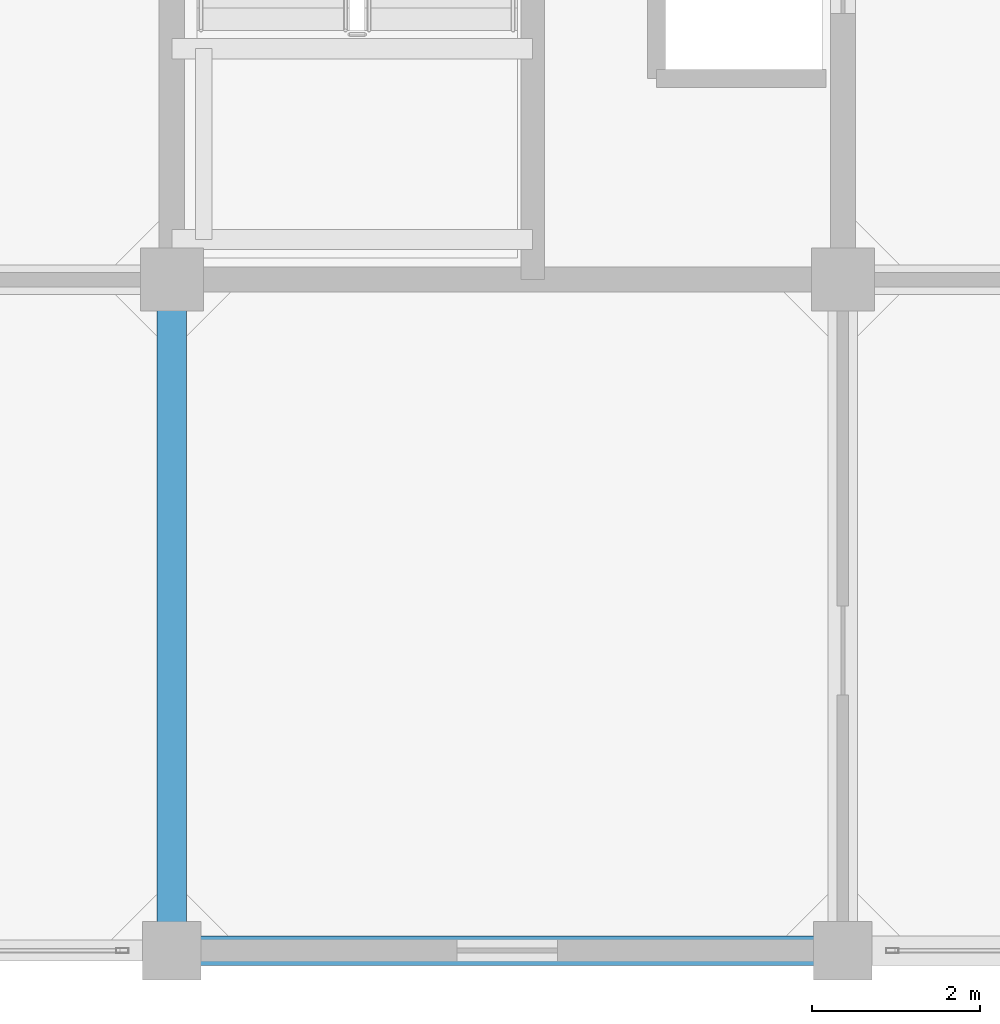
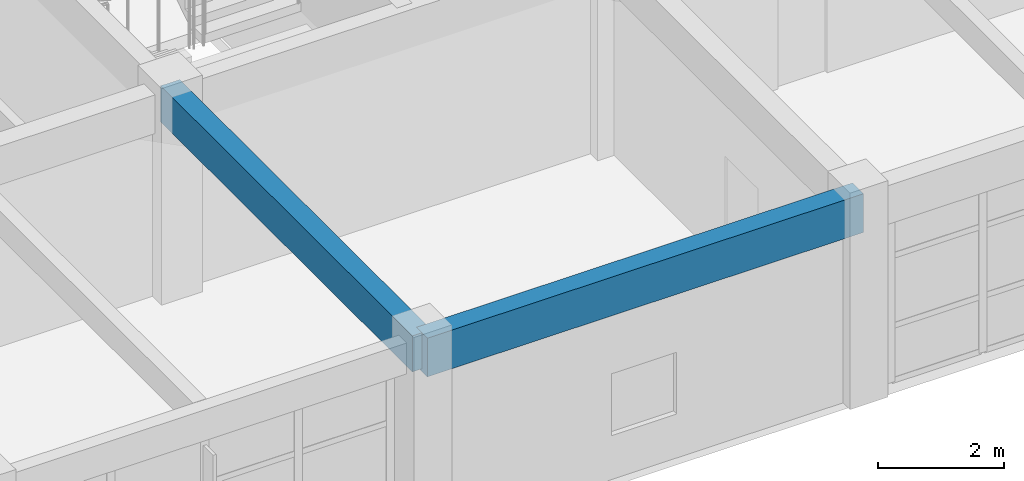
# One storey, part 3 of 19: 2 beams.
"""IFC4 building model written with IfcOpenShell, lengths in metres."""

from ifc_helpers import new_model, si_unit, direction, frame, origin, origin_2d, place, context, subcontext, project, spatial, rectangle, extrude, material, material_profile, profile_set, type_object, element, save


model = new_model("IFC4")

# Units and contexts
model_context = context("Model", 3, precision=1e-05, world=origin(), true_north=direction((0.0, 1.0)))
body_context = subcontext(model_context, "Body", "Model", "MODEL_VIEW")
ifc_project = project(units=[si_unit("LENGTHUNIT", "METRE"), si_unit("AREAUNIT", "SQUARE_METRE"), si_unit("VOLUMEUNIT", "CUBIC_METRE"), si_unit("PLANEANGLEUNIT", "RADIAN"), si_unit("MASSUNIT", "GRAM", prefix="KILO")], contexts=[model_context])

# Site, building, storey
site_placement = place(None, origin())
site = spatial("IfcSite", under=ifc_project, at=site_placement, CompositionType="ELEMENT")
building_placement = place(site_placement, origin())
building = spatial("IfcBuilding", under=site, at=building_placement, Name="Canggui Botanical Conservatory", CompositionType="ELEMENT")
storey_placement = place(building_placement, frame((0.0, 0.0, 48.60009765625)))
storey = spatial("IfcBuildingStorey", under=building, at=storey_placement, Name="L12", CompositionType="ELEMENT", Elevation=48.60009765625)

# Beams
ifc_material = material(Name="Concrete C35", Category="concrete")
ifc_material_profile_1 = material_profile(ifc_material, rectangle(XDim=0.35009765625, YDim=0.75, at=origin_2d()), Name="RB 350x750")
ifc_profile_set_1 = profile_set([ifc_material_profile_1], Name="Concrete C35")
beam_type_1 = type_object("IfcBeamType", Name="BM-KL16", PredefinedType="BEAM", material=ifc_profile_set_1)
beam_1_placement = place(storey_placement, frame((154.0, 34.0, 3.5849609375), z_axis=(1.0, 0.0, 0.0), x_axis=(0.0, 1.0, 0.0)))
element("IfcBeam", 1, at=beam_1_placement, inside=storey, type_object=beam_type_1, Name="Frame Girder L12 Y34-2", PredefinedType="BEAM", context=body_context, shape_type="SweptSolid", body=[
    extrude(rectangle(XDim=0.35009765625, YDim=0.75, at=origin_2d()), origin(), (0.0, 0.0, 1.0), 8.0),
])
ifc_material_profile_2 = material_profile(ifc_material, rectangle(XDim=0.35009765625, YDim=0.699951171875, at=origin_2d()), Name="RB 350x700")
ifc_profile_set_2 = profile_set([ifc_material_profile_2], Name="Concrete C35")
beam_type_2 = type_object("IfcBeamType", Name="BM-KL17", PredefinedType="BEAM", material=ifc_profile_set_2)
beam_2_placement = place(storey_placement, frame((154.0, 34.0, 3.60986328125), z_axis=(0.0, 1.0, 0.0), x_axis=(-1.0, 0.0, 0.0)))
element("IfcBeam", 2, at=beam_2_placement, inside=storey, type_object=beam_type_2, Name="Frame Girder L12 X154-1", PredefinedType="BEAM", context=body_context, shape_type="SweptSolid", body=[
    extrude(rectangle(XDim=0.35009765625, YDim=0.699951171875, at=origin_2d()), origin(), (0.0, 0.0, 1.0), 8.0),
])

save(model, "model.ifc")
